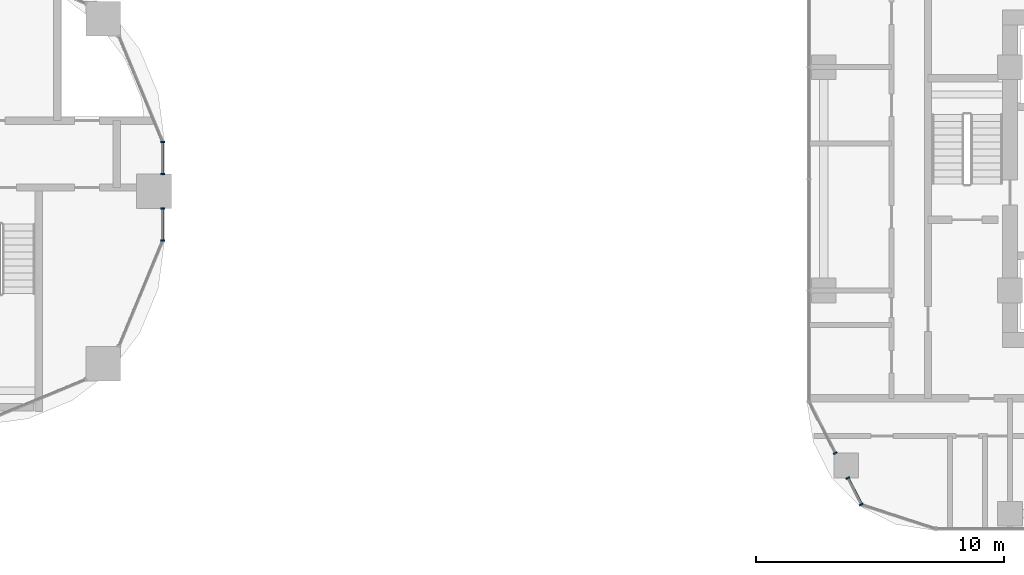
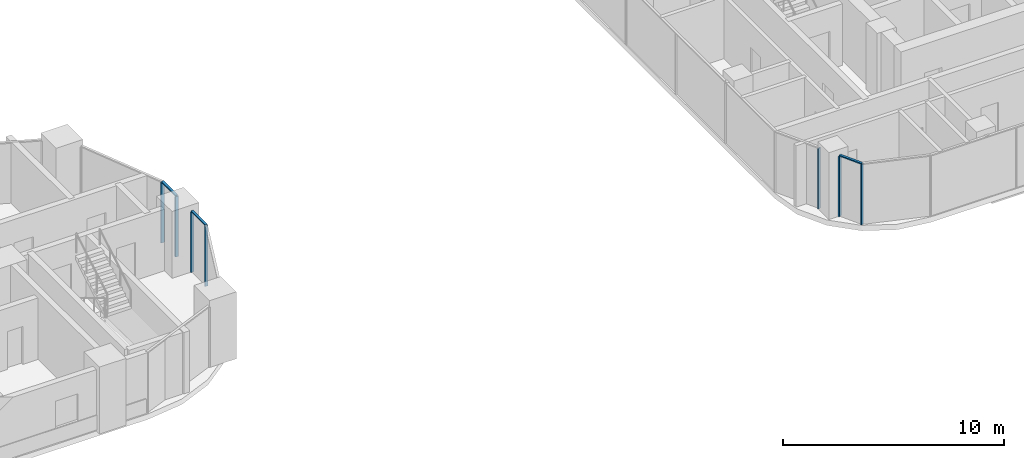
# One storey, part 5 of 30: 10 members, 4 elements without a shape of their own.
"""IFC4 building model written with IfcOpenShell, lengths in metres."""

from ifc_helpers import new_model, si_unit, direction, frame, origin, origin_2d, place, context, subcontext, project, spatial, rectangle, extrude, material, material_profile, profile_set, type_object, element, aggregate, save


model = new_model("IFC4")

# Units and contexts
model_context = context("Model", 3, precision=1e-05, world=origin(), true_north=direction((0.0, 1.0)))
body_context = subcontext(model_context, "Body", "Model", "MODEL_VIEW")
ifc_project = project(units=[si_unit("LENGTHUNIT", "METRE"), si_unit("AREAUNIT", "SQUARE_METRE"), si_unit("VOLUMEUNIT", "CUBIC_METRE"), si_unit("PLANEANGLEUNIT", "RADIAN"), si_unit("MASSUNIT", "GRAM", prefix="KILO")], contexts=[model_context])

# Site, building, storey
site_placement = place(None, origin())
site = spatial("IfcSite", under=ifc_project, at=site_placement, CompositionType="ELEMENT")
building_placement = place(site_placement, origin())
building = spatial("IfcBuilding", under=site, at=building_placement, Name="Ogive Portal Towers", CompositionType="ELEMENT")
storey_placement = place(building_placement, frame((0.0, 0.0, 37.199951171875)))
storey = spatial("IfcBuildingStorey", under=building, at=storey_placement, Name="L07", CompositionType="ELEMENT", Elevation=37.199951171875)

# Curtain wall, members
ifc_material_1 = material(Name="Glass, clear low-iron insulated glazing", Category="glass")
curtain_wall_type_1 = type_object("IfcCurtainWallType", Name="CW FRONT RIBBON 4500", PredefinedType="NOTDEFINED", material=ifc_material_1)
curtain_wall_1_placement = place(storey_placement, origin())
curtain_wall_1 = element("IfcCurtainWall", 1, at=curtain_wall_1_placement, inside=storey, type_object=curtain_wall_type_1, Name="A:L07:f24:cw0~0", PredefinedType="NOTDEFINED")
ifc_material_2 = material(Name="Aluminium 6063 anodised", Category="aluminium")
ifc_material_profile_1 = material_profile(ifc_material_2, rectangle(XDim=0.159912109375, YDim=0.06005859375, at=origin_2d()), Name="AL 60x160")
ifc_profile_set_1 = profile_set([ifc_material_profile_1], Name="Aluminium 6063 anodised")
member_type_1 = type_object("IfcMemberType", Name="CW MULLION 60x160", PredefinedType="MULLION", material=ifc_profile_set_1)
member_1_placement = place(storey_placement, frame((94.844970703125, 28.515869140625, 0.0), z_axis=(0.0, 0.0, 1.0), x_axis=(-1.0, 0.0, 0.0)))
member_1 = element("IfcMember", 2, at=member_1_placement, type_object=member_type_1, Name="mullion", PredefinedType="MULLION", context=body_context, shape_type="SweptSolid", body=[
    extrude(rectangle(XDim=0.159912109375, YDim=0.06005859375, at=origin_2d()), origin(), (0.0, 0.0, 1.0), 3.340087890625),
])
member_2_placement = place(storey_placement, frame((94.844970703125, 29.800048828125, 0.0), z_axis=(0.0, 0.0, 1.0), x_axis=(-1.0, 0.0, 0.0)))
member_2 = element("IfcMember", 3, at=member_2_placement, type_object=member_type_1, Name="mullion", PredefinedType="MULLION", context=body_context, shape_type="SweptSolid", body=[
    extrude(rectangle(XDim=0.159912109375, YDim=0.06005859375, at=origin_2d()), origin(), (0.0, 0.0, 1.0), 3.340087890625),
])

curtain_wall_2_placement = place(storey_placement, origin())
curtain_wall_2 = element("IfcCurtainWall", 4, at=curtain_wall_2_placement, inside=storey, type_object=curtain_wall_type_1, Name="A:L07:f24:cw0~1", PredefinedType="NOTDEFINED")
member_3_placement = place(storey_placement, frame((94.844970703125, 31.199951171875, 0.0), z_axis=(0.0, 0.0, 1.0), x_axis=(-1.0, 0.0, 0.0)))
member_3 = element("IfcMember", 5, at=member_3_placement, type_object=member_type_1, Name="mullion", PredefinedType="MULLION", context=body_context, shape_type="SweptSolid", body=[
    extrude(rectangle(XDim=0.159912109375, YDim=0.06005859375, at=origin_2d()), origin(), (0.0, 0.0, 1.0), 3.340087890625),
])
member_4_placement = place(storey_placement, frame((94.844970703125, 32.484130859375, 0.0), z_axis=(0.0, 0.0, 1.0), x_axis=(-1.0, 0.0, 0.0)))
member_4 = element("IfcMember", 6, at=member_4_placement, type_object=member_type_1, Name="mullion", PredefinedType="MULLION", context=body_context, shape_type="SweptSolid", body=[
    extrude(rectangle(XDim=0.159912109375, YDim=0.06005859375, at=origin_2d()), origin(), (0.0, 0.0, 1.0), 3.340087890625),
])

# Curtain wall, member
curtain_wall_type_2 = type_object("IfcCurtainWallType", Name="CW RESIDENCES RIBBON", PredefinedType="NOTDEFINED", material=ifc_material_1)
curtain_wall_3_placement = place(storey_placement, origin())
curtain_wall_3 = element("IfcCurtainWall", 7, at=curtain_wall_3_placement, inside=storey, type_object=curtain_wall_type_2, Name="B:L07:f00:cwa~0", PredefinedType="NOTDEFINED")
member_5_placement = place(storey_placement, frame((121.95849609375, 19.94189453125, 0.0), z_axis=(0.0, 0.0, 1.0), x_axis=(0.891006524188, 0.45399049974, 0.0)))
member_5 = element("IfcMember", 8, at=member_5_placement, type_object=member_type_1, Name="mullion", PredefinedType="MULLION", context=body_context, shape_type="SweptSolid", body=[
    extrude(rectangle(XDim=0.159912109375, YDim=0.06005859375, at=origin_2d()), origin(), (0.0, 0.0, 1.0), 3.340087890625),
])
aggregate(curtain_wall_3, [member_5])

# Curtain wall, members
curtain_wall_4_placement = place(storey_placement, origin())
curtain_wall_4 = element("IfcCurtainWall", 9, at=curtain_wall_4_placement, inside=storey, type_object=curtain_wall_type_2, Name="B:L07:f00:cwa~1", PredefinedType="NOTDEFINED")
member_6_placement = place(storey_placement, frame((122.468017578125, 18.94189453125, 0.0), z_axis=(0.0, 0.0, 1.0), x_axis=(0.891006524188, 0.45399049974, 0.0)))
member_6 = element("IfcMember", 10, at=member_6_placement, type_object=member_type_1, Name="mullion", PredefinedType="MULLION", context=body_context, shape_type="SweptSolid", body=[
    extrude(rectangle(XDim=0.159912109375, YDim=0.06005859375, at=origin_2d()), origin(), (0.0, 0.0, 1.0), 3.340087890625),
])
member_7_placement = place(storey_placement, frame((123.011474609375, 17.875244140625, 0.0), z_axis=(0.0, 0.0, 1.0), x_axis=(0.891006524188, 0.45399049974, 0.0)))
member_7 = element("IfcMember", 11, at=member_7_placement, type_object=member_type_1, Name="mullion", PredefinedType="MULLION", context=body_context, shape_type="SweptSolid", body=[
    extrude(rectangle(XDim=0.159912109375, YDim=0.06005859375, at=origin_2d()), origin(), (0.0, 0.0, 1.0), 3.340087890625),
])

# Member
ifc_material_profile_2 = material_profile(ifc_material_2, rectangle(XDim=0.1201171875, YDim=0.06005859375, at=origin_2d()), Name="AL 120x60")
ifc_profile_set_2 = profile_set([ifc_material_profile_2], Name="Aluminium 6063 anodised")
member_type_2 = type_object("IfcMemberType", Name="CW TRANSOM 60x120", PredefinedType="USERDEFINED", material=ifc_profile_set_2)
member_8_placement = place(storey_placement, frame((94.844970703125, 28.515869140625, 3.3701171875), z_axis=(0.0, 1.0, 0.0), x_axis=(-1.0, 0.0, 0.0)))
member_8 = element("IfcMember", 12, at=member_8_placement, type_object=member_type_2, Name="transom", ObjectType="TRANSOM", PredefinedType="USERDEFINED", context=body_context, shape_type="SweptSolid", body=[
    extrude(rectangle(XDim=0.1201171875, YDim=0.06005859375, at=origin_2d()), origin(), (0.0, 0.0, 1.0), 1.2841796875),
])

aggregate(curtain_wall_1, [member_8, member_1, member_2])

member_9_placement = place(storey_placement, frame((94.844970703125, 31.199951171875, 3.3701171875), z_axis=(0.0, 1.0, 0.0), x_axis=(-1.0, 0.0, 0.0)))
member_9 = element("IfcMember", 13, at=member_9_placement, type_object=member_type_2, Name="transom", ObjectType="TRANSOM", PredefinedType="USERDEFINED", context=body_context, shape_type="SweptSolid", body=[
    extrude(rectangle(XDim=0.1201171875, YDim=0.06005859375, at=origin_2d()), origin(), (0.0, 0.0, 1.0), 1.2841796875),
])

aggregate(curtain_wall_2, [member_9, member_3, member_4])

member_10_placement = place(storey_placement, frame((122.468017578125, 18.94189453125, 3.3701171875), z_axis=(0.453971606911, -0.891016150313, 0.0), x_axis=(0.891016150313, 0.453971606911, 0.0)))
member_10 = element("IfcMember", 14, at=member_10_placement, type_object=member_type_2, Name="transom", ObjectType="TRANSOM", PredefinedType="USERDEFINED", context=body_context, shape_type="SweptSolid", body=[
    extrude(rectangle(XDim=0.1201171875, YDim=0.06005859375, at=origin_2d()), origin(), (0.0, 0.0, 1.0), 1.197021484375),
])

aggregate(curtain_wall_4, [member_10, member_6, member_7])

save(model, "model.ifc")
